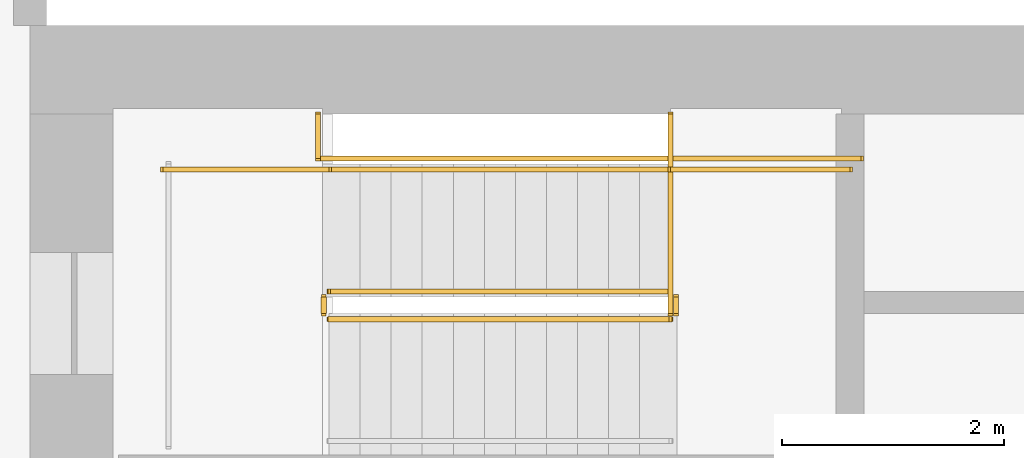
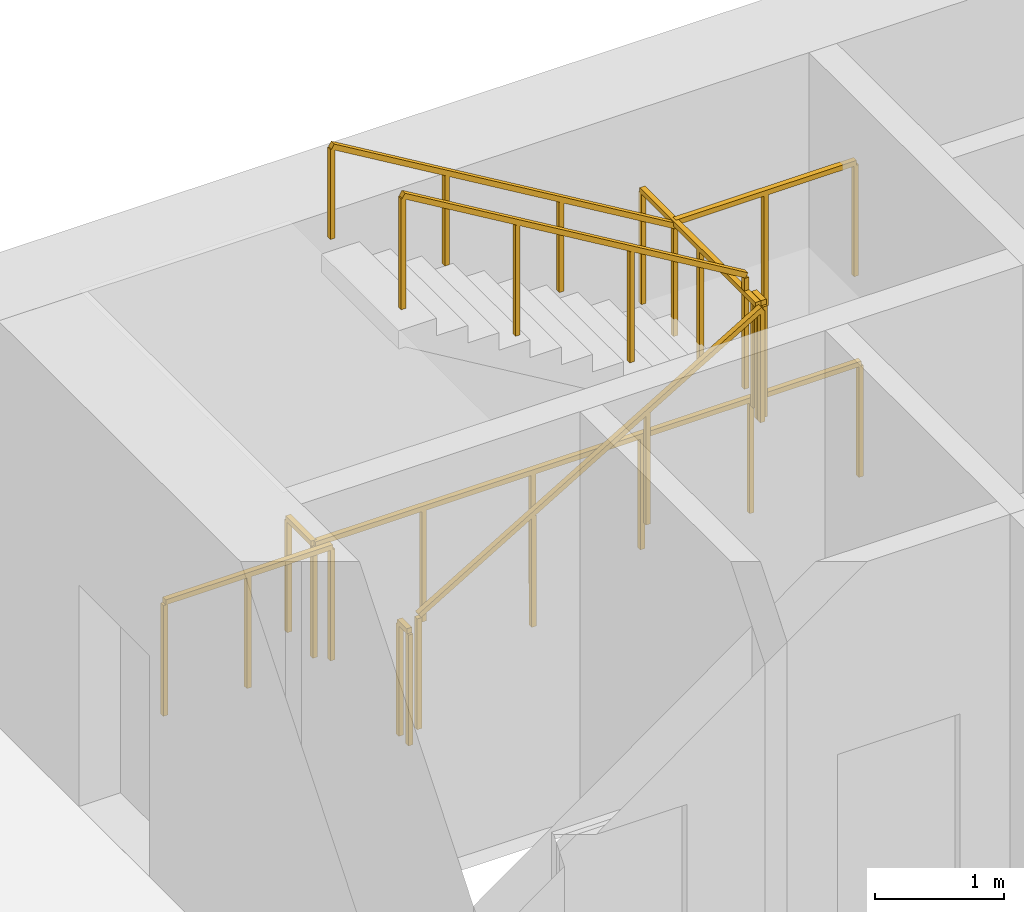
# One storey, part 12 of 12: 10 railings.
"""IFC4 building model written with IfcOpenShell, lengths in metres."""

import ifcopenshell
import ifcopenshell.guid

model = None  # the IFC model being written
_history = None  # IfcOwnerHistory: only IFC2X3 demands one
_inside = {}  # id of a spatial element -> (the spatial element, [elements in it])
_under = {}  # id of a project, library or spatial element -> (it, [spatial elements below it])
_declared = {}  # id of a project -> (the project, [libraries it declares])
_typed = {}  # id of a type object -> (the type object, [elements of that type])
_made_of = {}  # id of a material, layer set ... -> (it, [elements and type objects made of it])


def new_model(schema):
    """Start an empty IFC model of exactly this schema.

    Asked for "IFC4X3", IfcOpenShell would pick the latest addendum, in which some entities
    have other attributes; the version numbers below select the first issue.
    IFC2X3 requires an IfcOwnerHistory on every rooted entity: one is made here for all.
    """
    global model, _history
    if schema == "IFC4X3":
        model = ifcopenshell.file(schema_version=(4, 3, 0, 0))
    else:
        model = ifcopenshell.file(schema=schema)
    _inside.clear()
    _under.clear()
    _declared.clear()
    _typed.clear()
    _made_of.clear()
    _history = None
    if model.schema == "IFC2X3":
        org = make("IfcOrganization", Name="unknown")
        user = make(
            "IfcPersonAndOrganization",
            ThePerson=make("IfcPerson", FamilyName="unknown"),
            TheOrganization=org,
        )
        app = make(
            "IfcApplication",
            ApplicationDeveloper=org,
            Version="unknown",
            ApplicationFullName="unknown",
            ApplicationIdentifier="unknown",
        )
        _history = make(
            "IfcOwnerHistory",
            OwningUser=user,
            OwningApplication=app,
            ChangeAction="ADDED",
            CreationDate=0,
        )
    return model


def make(cls, **values):
    """One entity of the class cls with the attributes given. An attribute that is None is left unset."""
    return model.create_entity(
        cls, **{name: value for name, value in values.items() if value is not None}
    )


def rooted(cls, **values):
    """An entity with a GlobalId (a new one), such as an element, a storey or a relation."""
    return make(cls, GlobalId=ifcopenshell.guid.new(), OwnerHistory=_history, **values)


def si_unit(unit_type, name, prefix=None):
    """IfcSIUnit, for example si_unit("LENGTHUNIT", "METRE", prefix="MILLI")."""
    return make("IfcSIUnit", UnitType=unit_type, Prefix=prefix, Name=name)


def assignment(units):
    """IfcUnitAssignment: the units of a project."""
    return None if units is None else make("IfcUnitAssignment", Units=units)


def point(xyz):
    """IfcCartesianPoint."""
    return None if xyz is None else make("IfcCartesianPoint", Coordinates=xyz)


def direction(xyz):
    """IfcDirection."""
    return None if xyz is None else make("IfcDirection", DirectionRatios=xyz)


def frame(location, z_axis=None, x_axis=None):
    """IfcAxis2Placement3D, a coordinate frame: its origin and axes. An axis left out is left unset."""
    return make(
        "IfcAxis2Placement3D",
        Location=point(location),
        Axis=direction(z_axis),
        RefDirection=direction(x_axis),
    )


def frame_2d(location, x_axis=None):
    """IfcAxis2Placement2D, a coordinate frame in the plane: its origin and x axis."""
    return make(
        "IfcAxis2Placement2D", Location=point(location), RefDirection=direction(x_axis)
    )


def origin():
    """The frame at (0, 0, 0) with its axes left unset."""
    return frame((0.0, 0.0, 0.0))


def origin_2d():
    """The frame at (0, 0) in the plane with its x axis left unset."""
    return frame_2d((0.0, 0.0))


def place(relative_to, where):
    """IfcLocalPlacement: puts the frame where relative to a parent placement (None: the world)."""
    return make(
        "IfcLocalPlacement", PlacementRelTo=relative_to, RelativePlacement=where
    )


def context(
    kind, dimensions, precision=None, world=None, true_north=None, identifier=None
):
    """IfcGeometricRepresentationContext, for example the 3D "Model" context."""
    return make(
        "IfcGeometricRepresentationContext",
        ContextIdentifier=identifier,
        ContextType=kind,
        CoordinateSpaceDimension=dimensions,
        Precision=precision,
        WorldCoordinateSystem=world,
        TrueNorth=true_north,
    )


def subcontext(parent, identifier, kind, view, scale=None):
    """IfcGeometricRepresentationSubContext, for example "Body" below "Model"."""
    return make(
        "IfcGeometricRepresentationSubContext",
        ContextIdentifier=identifier,
        ContextType=kind,
        ParentContext=parent,
        TargetScale=scale,
        TargetView=view,
    )


def project(units=None, contexts=None):
    """IfcProject with its units and contexts."""
    return rooted(
        "IfcProject",
        Name="project",
        RepresentationContexts=contexts,
        UnitsInContext=assignment(units),
    )


def spatial(cls, under=None, at=None, **own):
    """A site, building, storey or space (cls), placed at a placement, below another one or the project."""
    s = rooted(cls, ObjectPlacement=at, **own)
    if under is not None:
        _under.setdefault(under.id(), (under, []))[1].append(s)
    return s


def profile(cls, at=None, kind="AREA", **sizes):
    """A parametric profile (cls). Its sizes go by their IFC names, for example OverallWidth=200.0."""
    return make(cls, ProfileType=kind, Position=at, **sizes)


def rectangle(**sizes):
    """IfcRectangleProfileDef."""
    return profile("IfcRectangleProfileDef", **sizes)


def extrude(swept, where, along, depth):
    """IfcExtrudedAreaSolid: the profile swept, set in the frame where, extruded along a direction by depth."""
    return make(
        "IfcExtrudedAreaSolid",
        SweptArea=swept,
        Position=where,
        ExtrudedDirection=direction(along),
        Depth=depth,
    )


def shape(context_of_items, identifier, shape_type, items):
    """IfcShapeRepresentation: the items that make up one representation, for example the "Body"."""
    return make(
        "IfcShapeRepresentation",
        ContextOfItems=context_of_items,
        RepresentationIdentifier=identifier,
        RepresentationType=shape_type,
        Items=items,
    )


def material(Name=None, Category=None):
    """IfcMaterial."""
    return make("IfcMaterial", Name=Name, Category=Category)


def made_of(thing, what):
    """Note that an element or type object is made of a material, layer set ...; save() writes the relation."""
    if what is not None:
        _made_of.setdefault(what.id(), (what, []))[1].append(thing)
    return thing


def type_object(cls, material=None, **own):
    """A type object (cls), such as IfcWallType, which elements share."""
    return made_of(rooted(cls, **own), material)


def element(
    cls,
    number,
    at=None,
    inside=None,
    cuts=None,
    type_object=None,
    material=None,
    context=None,
    identifier="Body",
    shape_type=None,
    held_by="IfcProductDefinitionShape",
    body=None,
    shapes=None,
    **own,
):
    """One element of the class cls, such as IfcWall. Its Tag is "e" and its number.

    at: its placement. inside: the storey or other place that contains it. cuts: it is an
    opening in that element (IfcRelVoidsElement). A single representation is given by context,
    identifier, shape_type and body (its items); several are given by shapes. held_by: the class
    of the entity that holds the representations. save() writes the other relations.
    """
    e = rooted(cls, Tag="e%d" % number, ObjectPlacement=at, **own)
    if body is not None:
        shapes = [shape(context, identifier, shape_type, body)]
    if shapes is not None:
        e.Representation = make(held_by, Representations=shapes)
    if inside is not None:
        _inside.setdefault(inside.id(), (inside, []))[1].append(e)
    if cuts is not None:
        rooted(
            "IfcRelVoidsElement", RelatingBuildingElement=cuts, RelatedOpeningElement=e
        )
    if type_object is not None:
        _typed.setdefault(type_object.id(), (type_object, []))[1].append(e)
    return made_of(e, material)


def aggregate(whole, parts):
    """IfcRelAggregates: a whole, such as a stair, and the parts it consists of."""
    return rooted("IfcRelAggregates", RelatingObject=whole, RelatedObjects=parts)


def save(model, path):
    """Write the relations noted so far, then the file.

    IfcRelAggregates (storeys below a building ...), IfcRelContainedInSpatialStructure (elements
    in a storey), IfcRelDefinesByType, IfcRelAssociatesMaterial and IfcRelDeclares: one each for
    every whole, place, type object, material and project.
    """
    for whole, parts in _under.values():
        aggregate(whole, parts)
    for where, things in _inside.values():
        rooted(
            "IfcRelContainedInSpatialStructure",
            RelatedElements=things,
            RelatingStructure=where,
        )
    for kind, things in _typed.values():
        rooted("IfcRelDefinesByType", RelatedObjects=things, RelatingType=kind)
    for what, things in _made_of.values():
        rooted("IfcRelAssociatesMaterial", RelatedObjects=things, RelatingMaterial=what)
    for by, libraries in _declared.values():
        rooted("IfcRelDeclares", RelatingContext=by, RelatedDefinitions=libraries)
    model.write(path)


model = new_model("IFC4")

# Units and contexts
model_context = context("Model", 3, precision=1e-05, world=origin(), true_north=direction((0.0, 1.0)))
body_context = subcontext(model_context, "Body", "Model", "MODEL_VIEW")
ifc_project = project(units=[si_unit("LENGTHUNIT", "METRE"), si_unit("AREAUNIT", "SQUARE_METRE"), si_unit("VOLUMEUNIT", "CUBIC_METRE"), si_unit("PLANEANGLEUNIT", "RADIAN"), si_unit("MASSUNIT", "GRAM", prefix="KILO")], contexts=[model_context])

# Site, building, storey
site_placement = place(None, origin())
site = spatial("IfcSite", under=ifc_project, at=site_placement, CompositionType="ELEMENT")
building_placement = place(site_placement, origin())
building = spatial("IfcBuilding", under=site, at=building_placement, Name="Sennacour Bend Tower", CompositionType="ELEMENT")
storey_placement = place(building_placement, frame((0.0, 0.0, 277.0)))
storey = spatial("IfcBuildingStorey", under=building, at=storey_placement, Name="L64", CompositionType="ELEMENT", Elevation=277.0)

# Railings
ifc_material = material(Name="Stainless steel", Category="steel")
railing_type_1 = type_object("IfcRailingType", Name="RL-GUARD-1100", PredefinedType="GUARDRAIL", material=ifc_material)
railing_1_placement = place(storey_placement, frame((56.699951171875, 19.85009765625, 0.166748046875)))
element("IfcRailing", 1, at=railing_1_placement, inside=storey, type_object=railing_type_1, Name="L64 SA2 stair guard 1", PredefinedType="GUARDRAIL", context=body_context, shape_type="SweptSolid", body=[
    extrude(rectangle(XDim=0.048095703125, YDim=0.048095703125, at=origin_2d()), frame((0.0, 0.0, 1.076171875), z_axis=(0.859308565015, 0.0, 0.511457515432), x_axis=(0.0, 1.0, 0.0)), (0.0, 0.0, 1.0), 3.58447265625),
    extrude(rectangle(XDim=0.0419921875, YDim=0.0419921875, at=origin_2d()), origin(), (0.0, 0.0, 1.0), 1.052001953125),
    extrude(rectangle(XDim=0.0419921875, YDim=0.0419921875, at=origin_2d()), frame((1.026611328125, 0.0, 0.611083984375)), (0.0, 0.0, 1.0), 1.052001953125),
    extrude(rectangle(XDim=0.0419921875, YDim=0.0419921875, at=origin_2d()), frame((2.053466796875, 0.0, 1.22216796875)), (0.0, 0.0, 1.0), 1.052001953125),
    extrude(rectangle(XDim=0.0419921875, YDim=0.0419921875, at=origin_2d()), frame((3.080078125, 0.0, 1.833251953125)), (0.0, 0.0, 1.0), 1.052001953125),
])
railing_2_placement = place(storey_placement, frame((59.830078125, 19.89990234375, 2.0)))
element("IfcRailing", 2, at=railing_2_placement, inside=storey, type_object=railing_type_1, Name="L64 SA2 stair guard 2", PredefinedType="GUARDRAIL", context=body_context, shape_type="SweptSolid", body=[
    extrude(rectangle(XDim=0.048095703125, YDim=0.048095703125, at=origin_2d()), frame((0.0, 0.0, 1.076171875), z_axis=(0.0, 1.0, 0.0), x_axis=(-1.0, 0.0, 0.0)), (0.0, 0.0, 1.0), 0.150146484375),
    extrude(rectangle(XDim=0.0419921875, YDim=0.0419921875, at=origin_2d()), origin(), (0.0, 0.0, 1.0), 1.052001953125),
    extrude(rectangle(XDim=0.0419921875, YDim=0.0419921875, at=origin_2d()), frame((0.0, 0.150146484375, 0.0)), (0.0, 0.0, 1.0), 1.052001953125),
])
railing_3_placement = place(storey_placement, frame((59.780029296875, 21.199951171875, 2.0)))
element("IfcRailing", 3, at=railing_3_placement, inside=storey, type_object=railing_type_1, Name="L64 SA2 stair guard 3", PredefinedType="GUARDRAIL", context=body_context, shape_type="SweptSolid", body=[
    extrude(rectangle(XDim=0.048095703125, YDim=0.048095703125, at=origin_2d()), frame((0.0, 0.0, 1.076171875), z_axis=(1.0, 0.0, 0.0), x_axis=(0.0, 1.0, 0.0)), (0.0, 0.0, 1.0), 1.619873046875),
    extrude(rectangle(XDim=0.0419921875, YDim=0.0419921875, at=origin_2d()), origin(), (0.0, 0.0, 1.0), 1.052001953125),
    extrude(rectangle(XDim=0.0419921875, YDim=0.0419921875, at=origin_2d()), frame((0.81005859375, 0.0, 0.0)), (0.0, 0.0, 1.0), 1.052001953125),
    extrude(rectangle(XDim=0.0419921875, YDim=0.0419921875, at=origin_2d()), frame((1.619873046875, 0.0, 0.0)), (0.0, 0.0, 1.0), 1.052001953125),
])
railing_4_placement = place(storey_placement, frame((59.780029296875, 20.10009765625, 2.166748046875)))
element("IfcRailing", 4, at=railing_4_placement, inside=storey, type_object=railing_type_1, Name="L64 SA2 stair guard 4", PredefinedType="GUARDRAIL", context=body_context, shape_type="SweptSolid", body=[
    extrude(rectangle(XDim=0.048095703125, YDim=0.048095703125, at=origin_2d()), frame((0.0, 0.0, 1.076171875), z_axis=(-0.859308565015, 0.0, 0.511457515432), x_axis=(0.0, -1.0, 0.0)), (0.0, 0.0, 1.0), 3.58447265625),
    extrude(rectangle(XDim=0.0419921875, YDim=0.0419921875, at=origin_2d()), origin(), (0.0, 0.0, 1.0), 1.052001953125),
    extrude(rectangle(XDim=0.0419921875, YDim=0.0419921875, at=origin_2d()), frame((-1.026611328125, 0.0, 0.611083984375)), (0.0, 0.0, 1.0), 1.052001953125),
    extrude(rectangle(XDim=0.0419921875, YDim=0.0419921875, at=origin_2d()), frame((-2.053466796875, 0.0, 1.22216796875)), (0.0, 0.0, 1.0), 1.052001953125),
    extrude(rectangle(XDim=0.0419921875, YDim=0.0419921875, at=origin_2d()), frame((-3.080078125, 0.0, 1.833251953125)), (0.0, 0.0, 1.0), 1.052001953125),
])
railing_5_placement = place(storey_placement, frame((56.64990234375, 19.89990234375, 0.0)))
element("IfcRailing", 5, at=railing_5_placement, inside=storey, type_object=railing_type_1, Name="L64 SA2 stair guard 5", PredefinedType="GUARDRAIL", context=body_context, shape_type="SweptSolid", body=[
    extrude(rectangle(XDim=0.048095703125, YDim=0.048095703125, at=origin_2d()), frame((0.0, 0.0, 1.076171875), z_axis=(0.0, 1.0, 0.0), x_axis=(-1.0, 0.0, 0.0)), (0.0, 0.0, 1.0), 0.150146484375),
    extrude(rectangle(XDim=0.0419921875, YDim=0.0419921875, at=origin_2d()), origin(), (0.0, 0.0, 1.0), 1.052001953125),
    extrude(rectangle(XDim=0.0419921875, YDim=0.0419921875, at=origin_2d()), frame((0.0, 0.150146484375, 0.0)), (0.0, 0.0, 1.0), 1.052001953125),
])
railing_6_placement = place(storey_placement, frame((55.199951171875, 21.199951171875, 0.0)))
element("IfcRailing", 6, at=railing_6_placement, inside=storey, type_object=railing_type_1, Name="L64 SA2 stair guard 6", PredefinedType="GUARDRAIL", context=body_context, shape_type="SweptSolid", body=[
    extrude(rectangle(XDim=0.048095703125, YDim=0.048095703125, at=origin_2d()), frame((0.0, 0.0, 1.076171875), z_axis=(1.0, 0.0, 0.0), x_axis=(0.0, 1.0, 0.0)), (0.0, 0.0, 1.0), 1.5),
    extrude(rectangle(XDim=0.0419921875, YDim=0.0419921875, at=origin_2d()), origin(), (0.0, 0.0, 1.0), 1.052001953125),
    extrude(rectangle(XDim=0.0419921875, YDim=0.0419921875, at=origin_2d()), frame((0.75, 0.0, 0.0)), (0.0, 0.0, 1.0), 1.052001953125),
    extrude(rectangle(XDim=0.0419921875, YDim=0.0419921875, at=origin_2d()), frame((1.5, 0.0, 0.0)), (0.0, 0.0, 1.0), 1.052001953125),
])
railing_7_placement = place(storey_placement, frame((56.60009765625, 21.300048828125, 0.0)))
element("IfcRailing", 7, at=railing_7_placement, inside=storey, type_object=railing_type_1, Name="L64 SA2 stair guard 8", PredefinedType="GUARDRAIL", context=body_context, shape_type="SweptSolid", body=[
    extrude(rectangle(XDim=0.048095703125, YDim=0.048095703125, at=origin_2d()), frame((0.0, 0.0, 1.076171875), z_axis=(1.0, 0.0, 0.0), x_axis=(0.0, 1.0, 0.0)), (0.0, 0.0, 1.0), 4.89990234375),
    extrude(rectangle(XDim=0.0419921875, YDim=0.0419921875, at=origin_2d()), origin(), (0.0, 0.0, 1.0), 1.052001953125),
    extrude(rectangle(XDim=0.0419921875, YDim=0.0419921875, at=origin_2d()), frame((0.97998046875, 0.0, 0.0)), (0.0, 0.0, 1.0), 1.052001953125),
    extrude(rectangle(XDim=0.0419921875, YDim=0.0419921875, at=origin_2d()), frame((1.9599609375, 0.0, 0.0)), (0.0, 0.0, 1.0), 1.052001953125),
    extrude(rectangle(XDim=0.0419921875, YDim=0.0419921875, at=origin_2d()), frame((2.93994140625, 0.0, 0.0)), (0.0, 0.0, 1.0), 1.052001953125),
    extrude(rectangle(XDim=0.0419921875, YDim=0.0419921875, at=origin_2d()), frame((3.919921875, 0.0, 0.0)), (0.0, 0.0, 1.0), 1.052001953125),
    extrude(rectangle(XDim=0.0419921875, YDim=0.0419921875, at=origin_2d()), frame((4.89990234375, 0.0, 0.0)), (0.0, 0.0, 1.0), 1.052001953125),
])
railing_8_placement = place(storey_placement, frame((59.780029296875, 19.89990234375, 2.0)))
element("IfcRailing", 8, at=railing_8_placement, inside=storey, type_object=railing_type_1, Name="L64 SA2 landing edge guard 84", PredefinedType="GUARDRAIL", context=body_context, shape_type="SweptSolid", body=[
    extrude(rectangle(XDim=0.048095703125, YDim=0.048095703125, at=origin_2d()), frame((0.0, 0.0, 1.076171875), z_axis=(0.0, 1.0, 0.0), x_axis=(-1.0, 0.0, 0.0)), (0.0, 0.0, 1.0), 1.800048828125),
    extrude(rectangle(XDim=0.0419921875, YDim=0.0419921875, at=origin_2d()), origin(), (0.0, 0.0, 1.0), 1.052001953125),
    extrude(rectangle(XDim=0.0419921875, YDim=0.0419921875, at=origin_2d()), frame((0.0, 0.89990234375, 0.0)), (0.0, 0.0, 1.0), 1.052001953125),
    extrude(rectangle(XDim=0.0419921875, YDim=0.0419921875, at=origin_2d()), frame((0.0, 1.800048828125, 0.0)), (0.0, 0.0, 1.0), 1.052001953125),
])
railing_9_placement = place(storey_placement, frame((56.60009765625, 21.300048828125, 0.0)))
element("IfcRailing", 9, at=railing_9_placement, inside=storey, type_object=railing_type_1, Name="L64 SA2 landing edge guard 118", PredefinedType="GUARDRAIL", context=body_context, shape_type="SweptSolid", body=[
    extrude(rectangle(XDim=0.048095703125, YDim=0.048095703125, at=origin_2d()), frame((0.0, 0.0, 1.076171875), z_axis=(0.0, 1.0, 0.0), x_axis=(-1.0, 0.0, 0.0)), (0.0, 0.0, 1.0), 0.39990234375),
    extrude(rectangle(XDim=0.0419921875, YDim=0.0419921875, at=origin_2d()), origin(), (0.0, 0.0, 1.0), 1.052001953125),
    extrude(rectangle(XDim=0.0419921875, YDim=0.0419921875, at=origin_2d()), frame((0.0, 0.39990234375, 0.0)), (0.0, 0.0, 1.0), 1.052001953125),
])
railing_type_2 = type_object("IfcRailingType", Name="RL-HANDRAIL-900", PredefinedType="HANDRAIL", material=ifc_material)
railing_10_placement = place(storey_placement, frame((59.780029296875, 21.199951171875, 2.166748046875)))
element("IfcRailing", 10, at=railing_10_placement, inside=storey, type_object=railing_type_2, Name="L64 SA2 stair handrail 2", PredefinedType="HANDRAIL", context=body_context, shape_type="SweptSolid", body=[
    extrude(rectangle(XDim=0.048095703125, YDim=0.048095703125, at=origin_2d()), frame((0.0, 0.0, 0.8759765625), z_axis=(-0.859308565015, 0.0, 0.511457515432), x_axis=(0.0, -1.0, 0.0)), (0.0, 0.0, 1.0), 3.58447265625),
    extrude(rectangle(XDim=0.0419921875, YDim=0.0419921875, at=origin_2d()), origin(), (0.0, 0.0, 1.0), 0.851806640625),
    extrude(rectangle(XDim=0.0419921875, YDim=0.0419921875, at=origin_2d()), frame((-1.026611328125, 0.0, 0.611083984375)), (0.0, 0.0, 1.0), 0.851806640625),
    extrude(rectangle(XDim=0.0419921875, YDim=0.0419921875, at=origin_2d()), frame((-2.053466796875, 0.0, 1.22216796875)), (0.0, 0.0, 1.0), 0.851806640625),
    extrude(rectangle(XDim=0.0419921875, YDim=0.0419921875, at=origin_2d()), frame((-3.080078125, 0.0, 1.833251953125)), (0.0, 0.0, 1.0), 0.851806640625),
])

save(model, "model.ifc")
